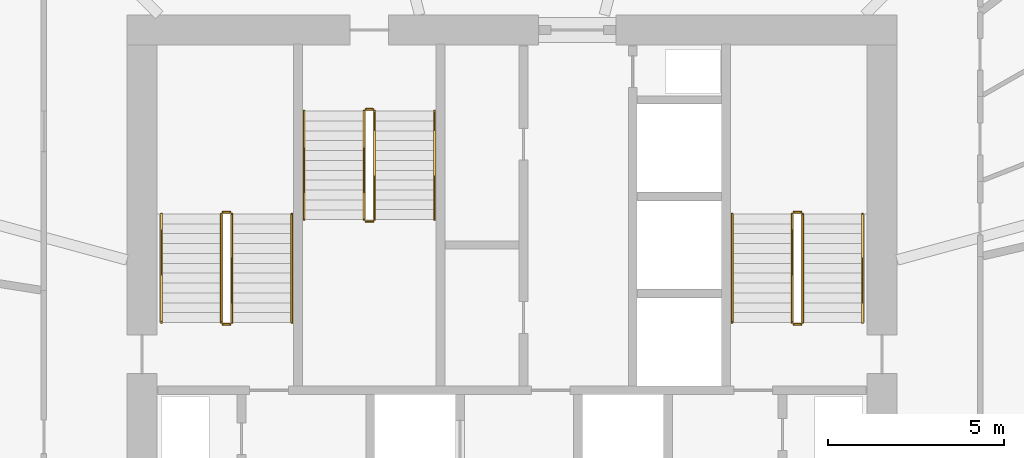
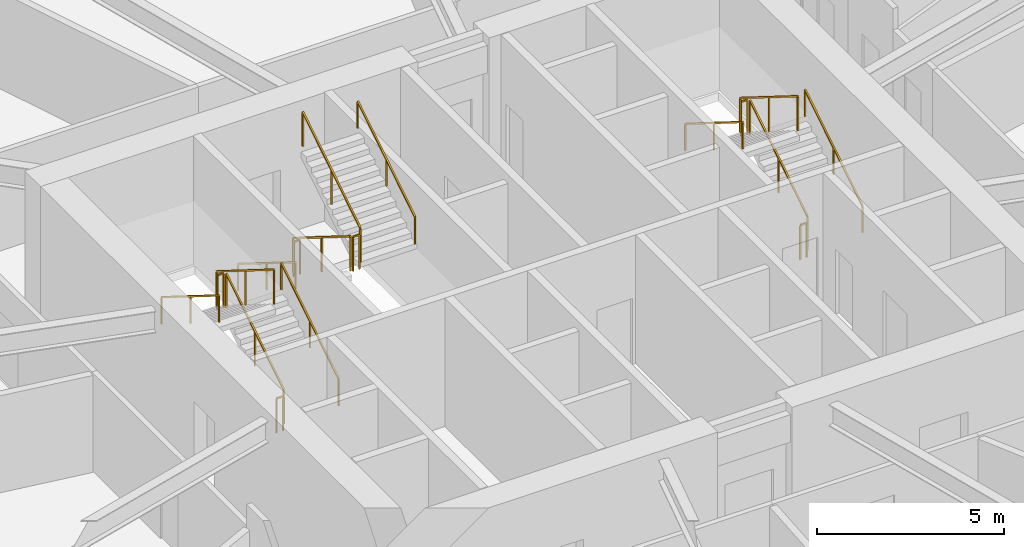
# One storey, part 25 of 25: 18 railings.
"""IFC4 building model written with IfcOpenShell, lengths in metres."""

from ifc_helpers import new_model, si_unit, direction, frame, origin, origin_2d, place, context, subcontext, project, spatial, rectangle, extrude, material, type_object, element, save


model = new_model("IFC4")

# Units and contexts
model_context = context("Model", 3, precision=1e-05, world=origin(), true_north=direction((0.0, 1.0)))
body_context = subcontext(model_context, "Body", "Model", "MODEL_VIEW")
ifc_project = project(units=[si_unit("LENGTHUNIT", "METRE"), si_unit("AREAUNIT", "SQUARE_METRE"), si_unit("VOLUMEUNIT", "CUBIC_METRE"), si_unit("PLANEANGLEUNIT", "RADIAN"), si_unit("MASSUNIT", "GRAM", prefix="KILO")], contexts=[model_context])

# Site, building, storey
site_placement = place(None, origin())
site = spatial("IfcSite", under=ifc_project, at=site_placement, CompositionType="ELEMENT")
building_placement = place(site_placement, origin())
building = spatial("IfcBuilding", under=site, at=building_placement, Name="Zuhravey Tower", CompositionType="ELEMENT")
storey_placement = place(building_placement, frame((0.0, 0.0, 45.60009765625)))
storey = spatial("IfcBuildingStorey", under=building, at=storey_placement, Name="L11", CompositionType="ELEMENT", Elevation=45.60009765625)

# Railings
ifc_material_1 = material(Name="Brushed stainless steel", Category="steel")
railing_type_1 = type_object("IfcRailingType", Name="Stair Wall Handrail 900", PredefinedType="HANDRAIL", material=ifc_material_1)
railing_1_placement = place(storey_placement, frame((29.75, 33.199951171875, 0.1748046875)))
element("IfcRailing", 1, at=railing_1_placement, inside=storey, type_object=railing_type_1, Name="L11 ST1 stair handrail 1", PredefinedType="HANDRAIL", context=body_context, shape_type="SweptSolid", body=[
    extrude(rectangle(XDim=0.048095703125, YDim=0.048095703125, at=origin_2d()), frame((0.0, 0.001708984375, 0.876953125), z_axis=(0.0, 0.847998304005, 0.529998940003), x_axis=(-1.0, 0.0, 0.0)), (0.0, 0.0, 1.0), 3.628173828125),
    extrude(rectangle(XDim=0.0419921875, YDim=0.0419921875, at=origin_2d()), origin(), (0.0, 0.0, 1.0), 0.849853515625),
    extrude(rectangle(XDim=0.0419921875, YDim=0.0419921875, at=origin_2d()), frame((0.0, 1.5400390625, 0.96240234375)), (0.0, 0.0, 1.0), 0.849853515625),
    extrude(rectangle(XDim=0.0419921875, YDim=0.0419921875, at=origin_2d()), frame((0.0, 3.080078125, 1.925048828125)), (0.0, 0.0, 1.0), 0.849853515625),
])
railing_2_placement = place(storey_placement, frame((26.050048828125, 36.280029296875, 2.27490234375)))
element("IfcRailing", 2, at=railing_2_placement, inside=storey, type_object=railing_type_1, Name="L11 ST1 stair handrail 2", PredefinedType="HANDRAIL", context=body_context, shape_type="SweptSolid", body=[
    extrude(rectangle(XDim=0.048095703125, YDim=0.048095703125, at=origin_2d()), frame((0.0, -0.001708984375, 0.876953125), z_axis=(0.0, -0.847998304005, 0.529998940003), x_axis=(1.0, 0.0, 0.0)), (0.0, 0.0, 1.0), 3.628173828125),
    extrude(rectangle(XDim=0.0419921875, YDim=0.0419921875, at=origin_2d()), origin(), (0.0, 0.0, 1.0), 0.849853515625),
    extrude(rectangle(XDim=0.0419921875, YDim=0.0419921875, at=origin_2d()), frame((0.0, -1.5400390625, 0.96240234375)), (0.0, 0.0, 1.0), 0.849853515625),
    extrude(rectangle(XDim=0.0419921875, YDim=0.0419921875, at=origin_2d()), frame((0.0, -3.080078125, 1.925048828125)), (0.0, 0.0, 1.0), 0.849853515625),
])
railing_3_placement = place(storey_placement, frame((45.949951171875, 33.199951171875, 0.1748046875)))
element("IfcRailing", 3, at=railing_3_placement, inside=storey, type_object=railing_type_1, Name="L11 ST2 stair handrail 1", PredefinedType="HANDRAIL", context=body_context, shape_type="SweptSolid", body=[
    extrude(rectangle(XDim=0.048095703125, YDim=0.048095703125, at=origin_2d()), frame((0.0, 0.001708984375, 0.876953125), z_axis=(0.0, 0.847998304005, 0.529998940003), x_axis=(-1.0, 0.0, 0.0)), (0.0, 0.0, 1.0), 3.628173828125),
    extrude(rectangle(XDim=0.0419921875, YDim=0.0419921875, at=origin_2d()), origin(), (0.0, 0.0, 1.0), 0.849853515625),
    extrude(rectangle(XDim=0.0419921875, YDim=0.0419921875, at=origin_2d()), frame((0.0, 1.5400390625, 0.96240234375)), (0.0, 0.0, 1.0), 0.849853515625),
    extrude(rectangle(XDim=0.0419921875, YDim=0.0419921875, at=origin_2d()), frame((0.0, 3.080078125, 1.925048828125)), (0.0, 0.0, 1.0), 0.849853515625),
])
railing_4_placement = place(storey_placement, frame((42.25, 36.280029296875, 2.27490234375)))
element("IfcRailing", 4, at=railing_4_placement, inside=storey, type_object=railing_type_1, Name="L11 ST2 stair handrail 2", PredefinedType="HANDRAIL", context=body_context, shape_type="SweptSolid", body=[
    extrude(rectangle(XDim=0.048095703125, YDim=0.048095703125, at=origin_2d()), frame((0.0, -0.001708984375, 0.876953125), z_axis=(0.0, -0.847998304005, 0.529998940003), x_axis=(1.0, 0.0, 0.0)), (0.0, 0.0, 1.0), 3.628173828125),
    extrude(rectangle(XDim=0.0419921875, YDim=0.0419921875, at=origin_2d()), origin(), (0.0, 0.0, 1.0), 0.849853515625),
    extrude(rectangle(XDim=0.0419921875, YDim=0.0419921875, at=origin_2d()), frame((0.0, -1.5400390625, 0.96240234375)), (0.0, 0.0, 1.0), 0.849853515625),
    extrude(rectangle(XDim=0.0419921875, YDim=0.0419921875, at=origin_2d()), frame((0.0, -3.080078125, 1.925048828125)), (0.0, 0.0, 1.0), 0.849853515625),
])
railing_5_placement = place(storey_placement, frame((30.10009765625, 39.199951171875, 0.1748046875)))
element("IfcRailing", 5, at=railing_5_placement, inside=storey, type_object=railing_type_1, Name="L11 ST3 stair handrail 1", PredefinedType="HANDRAIL", context=body_context, shape_type="SweptSolid", body=[
    extrude(rectangle(XDim=0.048095703125, YDim=0.048095703125, at=origin_2d()), frame((0.0, -0.001708984375, 0.876953125), z_axis=(0.0, -0.847979421464, 0.530029150871), x_axis=(1.0, 0.0, 0.0)), (0.0, 0.0, 1.0), 3.6279296875),
    extrude(rectangle(XDim=0.0419921875, YDim=0.0419921875, at=origin_2d()), origin(), (0.0, 0.0, 1.0), 0.849853515625),
    extrude(rectangle(XDim=0.0419921875, YDim=0.0419921875, at=origin_2d()), frame((0.0, -1.5400390625, 0.96240234375)), (0.0, 0.0, 1.0), 0.849853515625),
    extrude(rectangle(XDim=0.0419921875, YDim=0.0419921875, at=origin_2d()), frame((0.0, -3.079833984375, 1.925048828125)), (0.0, 0.0, 1.0), 0.849853515625),
])
railing_6_placement = place(storey_placement, frame((33.800048828125, 36.1201171875, 2.27490234375)))
element("IfcRailing", 6, at=railing_6_placement, inside=storey, type_object=railing_type_1, Name="L11 ST3 stair handrail 2", PredefinedType="HANDRAIL", context=body_context, shape_type="SweptSolid", body=[
    extrude(rectangle(XDim=0.048095703125, YDim=0.048095703125, at=origin_2d()), frame((0.0, 0.001708984375, 0.876953125), z_axis=(0.0, 0.847979421464, 0.530029150871), x_axis=(-1.0, 0.0, 0.0)), (0.0, 0.0, 1.0), 3.6279296875),
    extrude(rectangle(XDim=0.0419921875, YDim=0.0419921875, at=origin_2d()), origin(), (0.0, 0.0, 1.0), 0.849853515625),
    extrude(rectangle(XDim=0.0419921875, YDim=0.0419921875, at=origin_2d()), frame((0.0, 1.5400390625, 0.96240234375)), (0.0, 0.0, 1.0), 0.849853515625),
    extrude(rectangle(XDim=0.0419921875, YDim=0.0419921875, at=origin_2d()), frame((0.0, 3.079833984375, 1.925048828125)), (0.0, 0.0, 1.0), 0.849853515625),
])
ifc_material_2 = material(Name="Painted tubular steel", Category="steel")
railing_type_2 = type_object("IfcRailingType", Name="Stair Well Guardrail 1150", PredefinedType="GUARDRAIL", material=ifc_material_2)
railing_7_placement = place(storey_placement, frame((28.050048828125, 33.199951171875, 0.1748046875)))
element("IfcRailing", 7, at=railing_7_placement, inside=storey, type_object=railing_type_2, Name="L11 ST1 stair guard 1", PredefinedType="GUARDRAIL", context=body_context, shape_type="SweptSolid", body=[
    extrude(rectangle(XDim=0.048095703125, YDim=0.048095703125, at=origin_2d()), frame((0.0, 0.001708984375, 1.126953125), z_axis=(0.0, 0.847998304005, 0.529998940003), x_axis=(-1.0, 0.0, 0.0)), (0.0, 0.0, 1.0), 3.628173828125),
    extrude(rectangle(XDim=0.0419921875, YDim=0.0419921875, at=origin_2d()), origin(), (0.0, 0.0, 1.0), 1.099853515625),
    extrude(rectangle(XDim=0.0419921875, YDim=0.0419921875, at=origin_2d()), frame((0.0, 1.5400390625, 0.96240234375)), (0.0, 0.0, 1.0), 1.099853515625),
    extrude(rectangle(XDim=0.0419921875, YDim=0.0419921875, at=origin_2d()), frame((0.0, 3.080078125, 1.925048828125)), (0.0, 0.0, 1.0), 1.099853515625),
])
railing_8_placement = place(storey_placement, frame((28.0, 36.330078125, 2.099853515625)))
element("IfcRailing", 8, at=railing_8_placement, inside=storey, type_object=railing_type_2, Name="L11 ST1 stair guard 2", PredefinedType="GUARDRAIL", context=body_context, shape_type="SweptSolid", body=[
    extrude(rectangle(XDim=0.048095703125, YDim=0.048095703125, at=origin_2d()), frame((-0.001953125, 0.0, 1.1259765625), z_axis=(-1.0, 0.0, 0.0), x_axis=(0.0, -1.0, 0.0)), (0.0, 0.0, 1.0), 0.196044921875),
    extrude(rectangle(XDim=0.0419921875, YDim=0.0419921875, at=origin_2d()), origin(), (0.0, 0.0, 1.0), 1.099853515625),
    extrude(rectangle(XDim=0.0419921875, YDim=0.0419921875, at=origin_2d()), frame((-0.199951171875, 0.0, 0.0)), (0.0, 0.0, 1.0), 1.099853515625),
])
railing_9_placement = place(storey_placement, frame((27.75, 36.280029296875, 2.27490234375)))
element("IfcRailing", 9, at=railing_9_placement, inside=storey, type_object=railing_type_2, Name="L11 ST1 stair guard 3", PredefinedType="GUARDRAIL", context=body_context, shape_type="SweptSolid", body=[
    extrude(rectangle(XDim=0.048095703125, YDim=0.048095703125, at=origin_2d()), frame((0.0, -0.001708984375, 1.126953125), z_axis=(0.0, -0.847998304005, 0.529998940003), x_axis=(1.0, 0.0, 0.0)), (0.0, 0.0, 1.0), 3.628173828125),
    extrude(rectangle(XDim=0.0419921875, YDim=0.0419921875, at=origin_2d()), origin(), (0.0, 0.0, 1.0), 1.099853515625),
    extrude(rectangle(XDim=0.0419921875, YDim=0.0419921875, at=origin_2d()), frame((0.0, -1.5400390625, 0.96240234375)), (0.0, 0.0, 1.0), 1.099853515625),
    extrude(rectangle(XDim=0.0419921875, YDim=0.0419921875, at=origin_2d()), frame((0.0, -3.080078125, 1.925048828125)), (0.0, 0.0, 1.0), 1.099853515625),
])
railing_10_placement = place(storey_placement, frame((28.0, 33.14990234375, 0.0)))
element("IfcRailing", 10, at=railing_10_placement, inside=storey, type_object=railing_type_2, Name="L11 ST1 stair guard 4", PredefinedType="GUARDRAIL", context=body_context, shape_type="SweptSolid", body=[
    extrude(rectangle(XDim=0.048095703125, YDim=0.048095703125, at=origin_2d()), frame((-0.001953125, 0.0, 1.1259765625), z_axis=(-1.0, 0.0, 0.0), x_axis=(0.0, -1.0, 0.0)), (0.0, 0.0, 1.0), 0.196044921875),
    extrude(rectangle(XDim=0.0419921875, YDim=0.0419921875, at=origin_2d()), origin(), (0.0, 0.0, 1.0), 1.099853515625),
    extrude(rectangle(XDim=0.0419921875, YDim=0.0419921875, at=origin_2d()), frame((-0.199951171875, 0.0, 0.0)), (0.0, 0.0, 1.0), 1.099853515625),
])
railing_11_placement = place(storey_placement, frame((44.25, 33.199951171875, 0.1748046875)))
element("IfcRailing", 11, at=railing_11_placement, inside=storey, type_object=railing_type_2, Name="L11 ST2 stair guard 1", PredefinedType="GUARDRAIL", context=body_context, shape_type="SweptSolid", body=[
    extrude(rectangle(XDim=0.048095703125, YDim=0.048095703125, at=origin_2d()), frame((0.0, 0.001708984375, 1.126953125), z_axis=(0.0, 0.847998304005, 0.529998940003), x_axis=(-1.0, 0.0, 0.0)), (0.0, 0.0, 1.0), 3.628173828125),
    extrude(rectangle(XDim=0.0419921875, YDim=0.0419921875, at=origin_2d()), origin(), (0.0, 0.0, 1.0), 1.099853515625),
    extrude(rectangle(XDim=0.0419921875, YDim=0.0419921875, at=origin_2d()), frame((0.0, 1.5400390625, 0.96240234375)), (0.0, 0.0, 1.0), 1.099853515625),
    extrude(rectangle(XDim=0.0419921875, YDim=0.0419921875, at=origin_2d()), frame((0.0, 3.080078125, 1.925048828125)), (0.0, 0.0, 1.0), 1.099853515625),
])
railing_12_placement = place(storey_placement, frame((44.199951171875, 36.330078125, 2.099853515625)))
element("IfcRailing", 12, at=railing_12_placement, inside=storey, type_object=railing_type_2, Name="L11 ST2 stair guard 2", PredefinedType="GUARDRAIL", context=body_context, shape_type="SweptSolid", body=[
    extrude(rectangle(XDim=0.048095703125, YDim=0.048095703125, at=origin_2d()), frame((-0.001953125, 0.0, 1.1259765625), z_axis=(-1.0, 0.0, 0.0), x_axis=(0.0, -1.0, 0.0)), (0.0, 0.0, 1.0), 0.196044921875),
    extrude(rectangle(XDim=0.0419921875, YDim=0.0419921875, at=origin_2d()), origin(), (0.0, 0.0, 1.0), 1.099853515625),
    extrude(rectangle(XDim=0.0419921875, YDim=0.0419921875, at=origin_2d()), frame((-0.199951171875, 0.0, 0.0)), (0.0, 0.0, 1.0), 1.099853515625),
])
railing_13_placement = place(storey_placement, frame((43.949951171875, 36.280029296875, 2.27490234375)))
element("IfcRailing", 13, at=railing_13_placement, inside=storey, type_object=railing_type_2, Name="L11 ST2 stair guard 3", PredefinedType="GUARDRAIL", context=body_context, shape_type="SweptSolid", body=[
    extrude(rectangle(XDim=0.048095703125, YDim=0.048095703125, at=origin_2d()), frame((0.0, -0.001708984375, 1.126953125), z_axis=(0.0, -0.847998304005, 0.529998940003), x_axis=(1.0, 0.0, 0.0)), (0.0, 0.0, 1.0), 3.628173828125),
    extrude(rectangle(XDim=0.0419921875, YDim=0.0419921875, at=origin_2d()), origin(), (0.0, 0.0, 1.0), 1.099853515625),
    extrude(rectangle(XDim=0.0419921875, YDim=0.0419921875, at=origin_2d()), frame((0.0, -1.5400390625, 0.96240234375)), (0.0, 0.0, 1.0), 1.099853515625),
    extrude(rectangle(XDim=0.0419921875, YDim=0.0419921875, at=origin_2d()), frame((0.0, -3.080078125, 1.925048828125)), (0.0, 0.0, 1.0), 1.099853515625),
])
railing_14_placement = place(storey_placement, frame((44.199951171875, 33.14990234375, 0.0)))
element("IfcRailing", 14, at=railing_14_placement, inside=storey, type_object=railing_type_2, Name="L11 ST2 stair guard 4", PredefinedType="GUARDRAIL", context=body_context, shape_type="SweptSolid", body=[
    extrude(rectangle(XDim=0.048095703125, YDim=0.048095703125, at=origin_2d()), frame((-0.001953125, 0.0, 1.1259765625), z_axis=(-1.0, 0.0, 0.0), x_axis=(0.0, -1.0, 0.0)), (0.0, 0.0, 1.0), 0.196044921875),
    extrude(rectangle(XDim=0.0419921875, YDim=0.0419921875, at=origin_2d()), origin(), (0.0, 0.0, 1.0), 1.099853515625),
    extrude(rectangle(XDim=0.0419921875, YDim=0.0419921875, at=origin_2d()), frame((-0.199951171875, 0.0, 0.0)), (0.0, 0.0, 1.0), 1.099853515625),
])
railing_15_placement = place(storey_placement, frame((31.800048828125, 39.199951171875, 0.1748046875)))
element("IfcRailing", 15, at=railing_15_placement, inside=storey, type_object=railing_type_2, Name="L11 ST3 stair guard 1", PredefinedType="GUARDRAIL", context=body_context, shape_type="SweptSolid", body=[
    extrude(rectangle(XDim=0.048095703125, YDim=0.048095703125, at=origin_2d()), frame((0.0, -0.001708984375, 1.126953125), z_axis=(0.0, -0.847979421464, 0.530029150871), x_axis=(1.0, 0.0, 0.0)), (0.0, 0.0, 1.0), 3.6279296875),
    extrude(rectangle(XDim=0.0419921875, YDim=0.0419921875, at=origin_2d()), origin(), (0.0, 0.0, 1.0), 1.099853515625),
    extrude(rectangle(XDim=0.0419921875, YDim=0.0419921875, at=origin_2d()), frame((0.0, -1.5400390625, 0.96240234375)), (0.0, 0.0, 1.0), 1.099853515625),
    extrude(rectangle(XDim=0.0419921875, YDim=0.0419921875, at=origin_2d()), frame((0.0, -3.079833984375, 1.925048828125)), (0.0, 0.0, 1.0), 1.099853515625),
])
railing_16_placement = place(storey_placement, frame((31.85009765625, 36.070068359375, 2.099853515625)))
element("IfcRailing", 16, at=railing_16_placement, inside=storey, type_object=railing_type_2, Name="L11 ST3 stair guard 2", PredefinedType="GUARDRAIL", context=body_context, shape_type="SweptSolid", body=[
    extrude(rectangle(XDim=0.048095703125, YDim=0.048095703125, at=origin_2d()), frame((0.001953125, 0.0, 1.1259765625), z_axis=(1.0, 0.0, 0.0), x_axis=(0.0, 1.0, 0.0)), (0.0, 0.0, 1.0), 0.196044921875),
    extrude(rectangle(XDim=0.0419921875, YDim=0.0419921875, at=origin_2d()), origin(), (0.0, 0.0, 1.0), 1.099853515625),
    extrude(rectangle(XDim=0.0419921875, YDim=0.0419921875, at=origin_2d()), frame((0.199951171875, 0.0, 0.0)), (0.0, 0.0, 1.0), 1.099853515625),
])
railing_17_placement = place(storey_placement, frame((32.10009765625, 36.1201171875, 2.27490234375)))
element("IfcRailing", 17, at=railing_17_placement, inside=storey, type_object=railing_type_2, Name="L11 ST3 stair guard 3", PredefinedType="GUARDRAIL", context=body_context, shape_type="SweptSolid", body=[
    extrude(rectangle(XDim=0.048095703125, YDim=0.048095703125, at=origin_2d()), frame((0.0, 0.001708984375, 1.126953125), z_axis=(0.0, 0.847979421464, 0.530029150871), x_axis=(-1.0, 0.0, 0.0)), (0.0, 0.0, 1.0), 3.6279296875),
    extrude(rectangle(XDim=0.0419921875, YDim=0.0419921875, at=origin_2d()), origin(), (0.0, 0.0, 1.0), 1.099853515625),
    extrude(rectangle(XDim=0.0419921875, YDim=0.0419921875, at=origin_2d()), frame((0.0, 1.5400390625, 0.96240234375)), (0.0, 0.0, 1.0), 1.099853515625),
    extrude(rectangle(XDim=0.0419921875, YDim=0.0419921875, at=origin_2d()), frame((0.0, 3.079833984375, 1.925048828125)), (0.0, 0.0, 1.0), 1.099853515625),
])
railing_18_placement = place(storey_placement, frame((31.85009765625, 39.25, 0.0)))
element("IfcRailing", 18, at=railing_18_placement, inside=storey, type_object=railing_type_2, Name="L11 ST3 stair guard 4", PredefinedType="GUARDRAIL", context=body_context, shape_type="SweptSolid", body=[
    extrude(rectangle(XDim=0.048095703125, YDim=0.048095703125, at=origin_2d()), frame((0.001953125, 0.0, 1.1259765625), z_axis=(1.0, 0.0, 0.0), x_axis=(0.0, 1.0, 0.0)), (0.0, 0.0, 1.0), 0.196044921875),
    extrude(rectangle(XDim=0.0419921875, YDim=0.0419921875, at=origin_2d()), origin(), (0.0, 0.0, 1.0), 1.099853515625),
    extrude(rectangle(XDim=0.0419921875, YDim=0.0419921875, at=origin_2d()), frame((0.199951171875, 0.0, 0.0)), (0.0, 0.0, 1.0), 1.099853515625),
])

save(model, "model.ifc")
